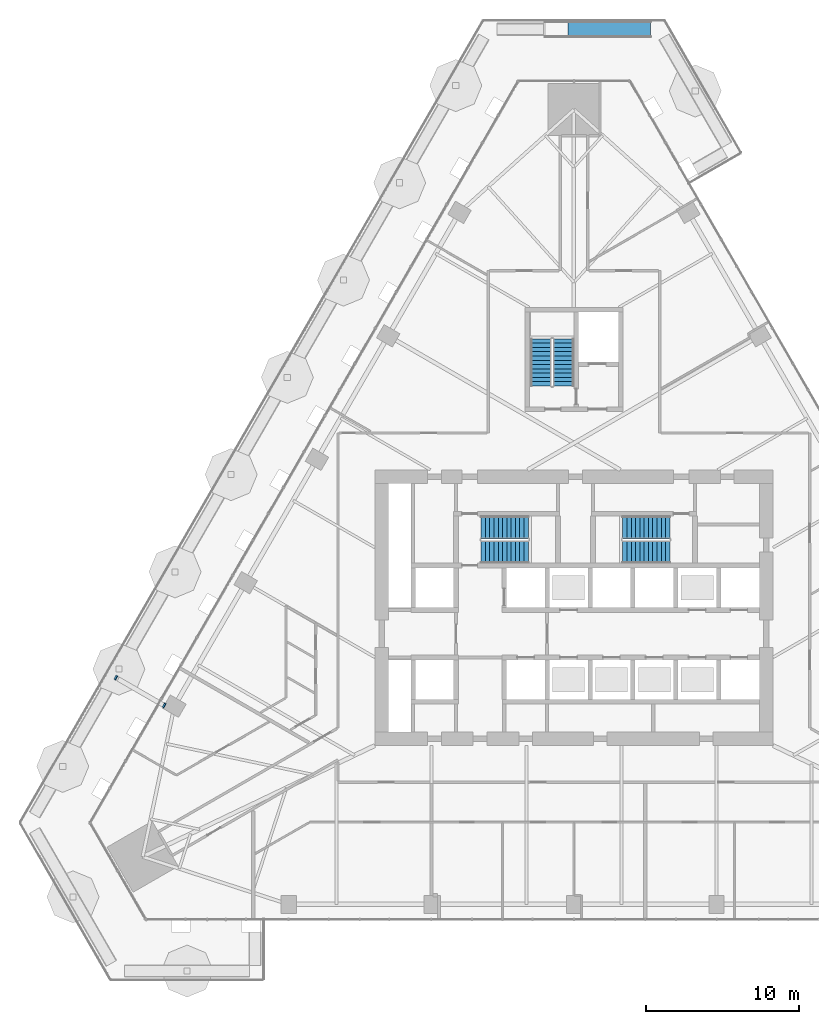
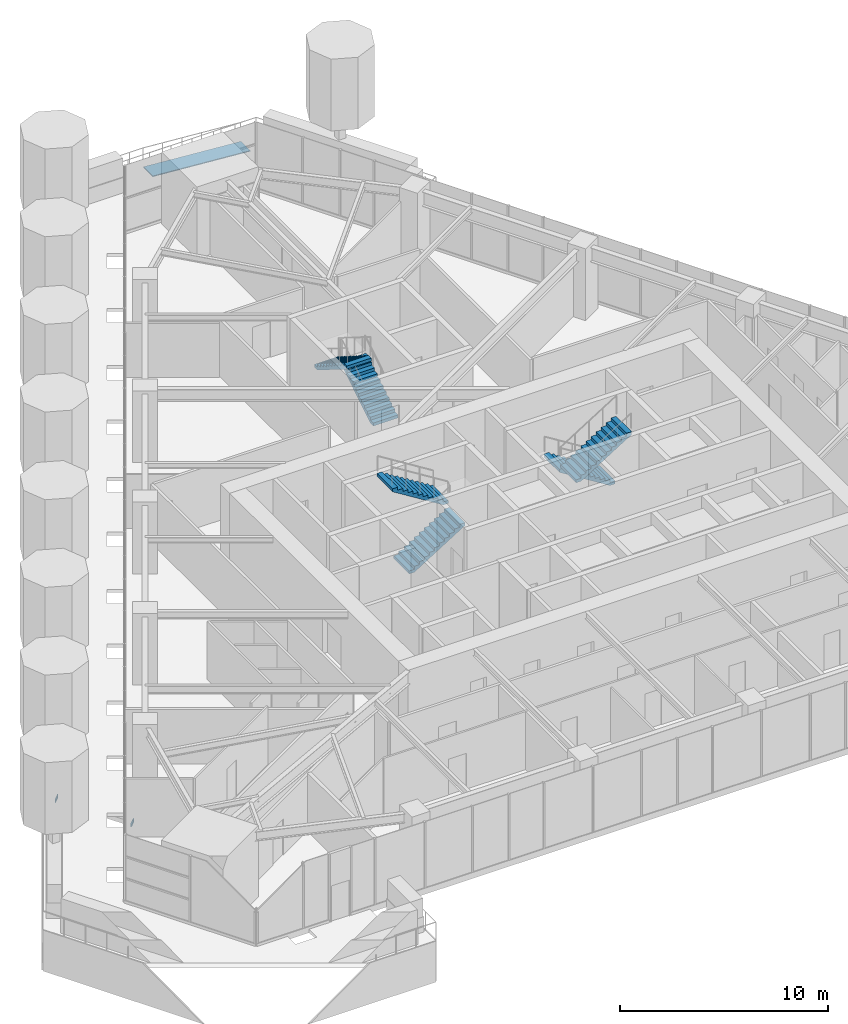
# One storey, part 21 of 25: 6 stair flights, 2 discrete accessories, 1 ramp flight, 4 elements without a shape of their own.
"""IFC4 building model written with IfcOpenShell, lengths in metres."""

from ifc_helpers import new_model, si_unit, direction, frame, origin, place, context, subcontext, project, spatial, polyline, outline, extrude, material, layer, layer_set, type_object, element, aggregate, save


model = new_model("IFC4")

# Units and contexts
model_context = context("Model", 3, precision=1e-05, world=origin(), true_north=direction((0.0, 1.0)))
body_context = subcontext(model_context, "Body", "Model", "MODEL_VIEW")
ifc_project = project(units=[si_unit("LENGTHUNIT", "METRE"), si_unit("AREAUNIT", "SQUARE_METRE"), si_unit("VOLUMEUNIT", "CUBIC_METRE"), si_unit("PLANEANGLEUNIT", "RADIAN"), si_unit("MASSUNIT", "GRAM", prefix="KILO")], contexts=[model_context])

# Site, building, storey
site_placement = place(None, origin())
site = spatial("IfcSite", under=ifc_project, at=site_placement, CompositionType="ELEMENT")
building_placement = place(site_placement, origin())
building = spatial("IfcBuilding", under=site, at=building_placement, Name="Firuza Gate Tower and Library", CompositionType="ELEMENT")
storey_placement = place(building_placement, frame((0.0, 0.0, 119.800048828125)))
storey = spatial("IfcBuildingStorey", under=building, at=storey_placement, Name="L27", CompositionType="ELEMENT", Elevation=119.800048828125)

# Stair, stair flights
ifc_material_1 = material(Name="Concrete C35/45", Category="concrete")
stair_type_1 = type_object("IfcStairType", Name="Exit stair ST14", PredefinedType="HALF_TURN_STAIR", material=ifc_material_1)
placement = place(storey_placement, origin())
stair_1 = element("IfcStair", 1, at=placement, inside=storey, type_object=stair_type_1, Name="L27 Stair ST3", PredefinedType="HALF_TURN_STAIR")
ifc_material_2 = material(Name="Concrete C35/45", Category="concrete")
stair_flight_type_1 = type_object("IfcStairFlightType", Name="Stair flight 12 risers 175 width 1370", PredefinedType="STRAIGHT", material=ifc_material_2)
stair_flight_1_placement = place(storey_placement, frame((74.31494140625, 89.469970703125, 0.0), z_axis=(0.0, 0.0, 1.0), x_axis=(0.0, 1.0, 0.0)))
stair_flight_1 = element("IfcStairFlight", 2, at=stair_flight_1_placement, type_object=stair_flight_type_1, Name="ST3 flight 1", NumberOfRisers=12, NumberOfTreads=11, PredefinedType="STRAIGHT", RiserHeight=0.175, TreadLength=0.28, context=body_context, shape_type="SweptSolid", body=[
    extrude(outline(polyline([(0.0, 0.0), (0.0, 0.175048828125), (0.280029296875, 0.175048828125), (0.280029296875, 0.35009765625), (0.56005859375, 0.35009765625), (0.56005859375, 0.52490234375), (0.840087890625, 0.52490234375), (0.840087890625, 0.699951171875), (1.1201171875, 0.699951171875), (1.1201171875, 0.875), (1.39990234375, 0.875), (1.39990234375, 1.050048828125), (1.679931640625, 1.050048828125), (1.679931640625, 1.22509765625), (1.9599609375, 1.22509765625), (1.9599609375, 1.39990234375), (2.239990234375, 1.39990234375), (2.239990234375, 1.574951171875), (2.52001953125, 1.574951171875), (2.52001953125, 1.75), (2.800048828125, 1.75), (2.800048828125, 1.925048828125), (3.080078125, 1.925048828125), (3.080078125, 2.10009765625), (3.080078125, 1.748291015625), (0.28271484375, 0.0), (0.0, 0.0)])), frame((0.0, 0.68505859375, 0.0), z_axis=(0.0, -1.0, 0.0), x_axis=(1.0, 0.0, 0.0)), (0.0, 0.0, 1.0), 1.3701171875),
])
stair_flight_2_placement = place(storey_placement, frame((72.844970703125, 92.550048828125, 2.099853515625), z_axis=(0.0, 0.0, 1.0), x_axis=(0.0, -1.0, 0.0)))
stair_flight_2 = element("IfcStairFlight", 3, at=stair_flight_2_placement, type_object=stair_flight_type_1, Name="ST3 flight 2", NumberOfRisers=12, NumberOfTreads=11, PredefinedType="STRAIGHT", RiserHeight=0.175, TreadLength=0.28, context=body_context, shape_type="SweptSolid", body=[
    extrude(outline(polyline([(0.0, 0.0), (0.0, 0.175048828125), (0.280029296875, 0.175048828125), (0.280029296875, 0.35009765625), (0.56005859375, 0.35009765625), (0.56005859375, 0.52490234375), (0.840087890625, 0.52490234375), (0.840087890625, 0.699951171875), (1.1201171875, 0.699951171875), (1.1201171875, 0.875), (1.39990234375, 0.875), (1.39990234375, 1.050048828125), (1.679931640625, 1.050048828125), (1.679931640625, 1.22509765625), (1.9599609375, 1.22509765625), (1.9599609375, 1.39990234375), (2.239990234375, 1.39990234375), (2.239990234375, 1.574951171875), (2.52001953125, 1.574951171875), (2.52001953125, 1.75), (2.800048828125, 1.75), (2.800048828125, 1.925048828125), (3.080078125, 1.925048828125), (3.080078125, 2.10009765625), (3.080078125, 1.748291015625), (0.28271484375, 0.0), (0.0, 0.0)])), frame((0.0, 0.68505859375, 0.0), z_axis=(0.0, -1.0, 0.0), x_axis=(1.0, 0.0, 0.0)), (0.0, 0.0, 1.0), 1.3701171875),
])
aggregate(stair_1, [stair_flight_1, stair_flight_2])

ifc_material_3 = material(Name="Concrete C35/45", Category="concrete")
stair_type_2 = type_object("IfcStairType", Name="Exit stair ST5", PredefinedType="HALF_TURN_STAIR", material=ifc_material_3)
stair_2 = element("IfcStair", 4, at=placement, inside=storey, type_object=stair_type_2, Name="L27 Stair ST1", PredefinedType="HALF_TURN_STAIR")
ifc_material_4 = material(Name="Concrete C35/45", Category="concrete")
stair_flight_type_2 = type_object("IfcStairFlightType", Name="Stair flight 12 risers 175 width 1490", PredefinedType="STRAIGHT", material=ifc_material_4)
stair_flight_3_placement = place(storey_placement, frame((68.93994140625, 78.64501953125, 0.0), z_axis=(0.0, 0.0, 1.0), x_axis=(1.0, 0.0, 0.0)))
stair_flight_3 = element("IfcStairFlight", 5, at=stair_flight_3_placement, type_object=stair_flight_type_2, Name="ST1 flight 1", NumberOfRisers=12, NumberOfTreads=11, PredefinedType="STRAIGHT", RiserHeight=0.175, TreadLength=0.28, context=body_context, shape_type="SweptSolid", body=[
    extrude(outline(polyline([(0.0, 0.0), (0.0, 0.175048828125), (0.280029296875, 0.175048828125), (0.280029296875, 0.35009765625), (0.56005859375, 0.35009765625), (0.56005859375, 0.52490234375), (0.840087890625, 0.52490234375), (0.840087890625, 0.699951171875), (1.1201171875, 0.699951171875), (1.1201171875, 0.875), (1.39990234375, 0.875), (1.39990234375, 1.050048828125), (1.679931640625, 1.050048828125), (1.679931640625, 1.22509765625), (1.9599609375, 1.22509765625), (1.9599609375, 1.39990234375), (2.239990234375, 1.39990234375), (2.239990234375, 1.574951171875), (2.52001953125, 1.574951171875), (2.52001953125, 1.75), (2.800048828125, 1.75), (2.800048828125, 1.925048828125), (3.080078125, 1.925048828125), (3.080078125, 2.10009765625), (3.080078125, 1.748291015625), (0.28271484375, 0.0), (0.0, 0.0)])), frame((0.0, 0.7451171875, 0.0), z_axis=(0.0, -1.0, 0.0), x_axis=(1.0, 0.0, 0.0)), (0.0, 0.0, 1.0), 1.489990234375),
])
stair_flight_4_placement = place(storey_placement, frame((72.02001953125, 80.235107421875, 2.099853515625), z_axis=(0.0, 0.0, 1.0), x_axis=(-1.0, 0.0, 0.0)))
stair_flight_4 = element("IfcStairFlight", 6, at=stair_flight_4_placement, type_object=stair_flight_type_2, Name="ST1 flight 2", NumberOfRisers=12, NumberOfTreads=11, PredefinedType="STRAIGHT", RiserHeight=0.175, TreadLength=0.28, context=body_context, shape_type="SweptSolid", body=[
    extrude(outline(polyline([(0.0, 0.0), (0.0, 0.175048828125), (0.280029296875, 0.175048828125), (0.280029296875, 0.35009765625), (0.56005859375, 0.35009765625), (0.56005859375, 0.52490234375), (0.840087890625, 0.52490234375), (0.840087890625, 0.699951171875), (1.1201171875, 0.699951171875), (1.1201171875, 0.875), (1.39990234375, 0.875), (1.39990234375, 1.050048828125), (1.679931640625, 1.050048828125), (1.679931640625, 1.22509765625), (1.9599609375, 1.22509765625), (1.9599609375, 1.39990234375), (2.239990234375, 1.39990234375), (2.239990234375, 1.574951171875), (2.52001953125, 1.574951171875), (2.52001953125, 1.75), (2.800048828125, 1.75), (2.800048828125, 1.925048828125), (3.080078125, 1.925048828125), (3.080078125, 2.10009765625), (3.080078125, 1.748291015625), (0.28271484375, 0.0), (0.0, 0.0)])), frame((0.0, 0.7451171875, 0.0), z_axis=(0.0, -1.0, 0.0), x_axis=(1.0, 0.0, 0.0)), (0.0, 0.0, 1.0), 1.489990234375),
])
aggregate(stair_2, [stair_flight_3, stair_flight_4])

stair_3 = element("IfcStair", 7, at=placement, inside=storey, type_object=stair_type_2, Name="L27 Stair ST2", PredefinedType="HALF_TURN_STAIR")
stair_flight_5_placement = place(storey_placement, frame((81.260009765625, 80.235107421875, 0.0), z_axis=(0.0, 0.0, 1.0), x_axis=(-1.0, 0.0, 0.0)))
stair_flight_5 = element("IfcStairFlight", 8, at=stair_flight_5_placement, type_object=stair_flight_type_2, Name="ST2 flight 1", NumberOfRisers=12, NumberOfTreads=11, PredefinedType="STRAIGHT", RiserHeight=0.175, TreadLength=0.28, context=body_context, shape_type="SweptSolid", body=[
    extrude(outline(polyline([(0.0, 0.0), (0.0, 0.175048828125), (0.280029296875, 0.175048828125), (0.280029296875, 0.35009765625), (0.56005859375, 0.35009765625), (0.56005859375, 0.52490234375), (0.840087890625, 0.52490234375), (0.840087890625, 0.699951171875), (1.1201171875, 0.699951171875), (1.1201171875, 0.875), (1.39990234375, 0.875), (1.39990234375, 1.050048828125), (1.679931640625, 1.050048828125), (1.679931640625, 1.22509765625), (1.9599609375, 1.22509765625), (1.9599609375, 1.39990234375), (2.239990234375, 1.39990234375), (2.239990234375, 1.574951171875), (2.52001953125, 1.574951171875), (2.52001953125, 1.75), (2.800048828125, 1.75), (2.800048828125, 1.925048828125), (3.080078125, 1.925048828125), (3.080078125, 2.10009765625), (3.080078125, 1.748291015625), (0.28271484375, 0.0), (0.0, 0.0)])), frame((0.0, 0.7451171875, 0.0), z_axis=(0.0, -1.0, 0.0), x_axis=(1.0, 0.0, 0.0)), (0.0, 0.0, 1.0), 1.489990234375),
])
stair_flight_6_placement = place(storey_placement, frame((78.179931640625, 78.64501953125, 2.099853515625), z_axis=(0.0, 0.0, 1.0), x_axis=(1.0, 0.0, 0.0)))
stair_flight_6 = element("IfcStairFlight", 9, at=stair_flight_6_placement, type_object=stair_flight_type_2, Name="ST2 flight 2", NumberOfRisers=12, NumberOfTreads=11, PredefinedType="STRAIGHT", RiserHeight=0.175, TreadLength=0.28, context=body_context, shape_type="SweptSolid", body=[
    extrude(outline(polyline([(0.0, 0.0), (0.0, 0.175048828125), (0.280029296875, 0.175048828125), (0.280029296875, 0.35009765625), (0.56005859375, 0.35009765625), (0.56005859375, 0.52490234375), (0.840087890625, 0.52490234375), (0.840087890625, 0.699951171875), (1.1201171875, 0.699951171875), (1.1201171875, 0.875), (1.39990234375, 0.875), (1.39990234375, 1.050048828125), (1.679931640625, 1.050048828125), (1.679931640625, 1.22509765625), (1.9599609375, 1.22509765625), (1.9599609375, 1.39990234375), (2.239990234375, 1.39990234375), (2.239990234375, 1.574951171875), (2.52001953125, 1.574951171875), (2.52001953125, 1.75), (2.800048828125, 1.75), (2.800048828125, 1.925048828125), (3.080078125, 1.925048828125), (3.080078125, 2.10009765625), (3.080078125, 1.748291015625), (0.28271484375, 0.0), (0.0, 0.0)])), frame((0.0, 0.7451171875, 0.0), z_axis=(0.0, -1.0, 0.0), x_axis=(1.0, 0.0, 0.0)), (0.0, 0.0, 1.0), 1.489990234375),
])
aggregate(stair_3, [stair_flight_5, stair_flight_6])

# Ramp, ramp flight
ifc_material_5 = material(Name="Concrete C40/50", Category="concrete")
ifc_layer_1 = layer(ifc_material_5, 0.050048828125)
ifc_layer_set_1 = layer_set([ifc_layer_1], Name="Garden ramp")
ramp_type = type_object("IfcRampType", Name="Garden ramp", PredefinedType="STRAIGHT_RUN_RAMP", material=ifc_layer_set_1)
ramp = element("IfcRamp", 10, at=placement, inside=storey, type_object=ramp_type, Name="Garden ramp 3", PredefinedType="STRAIGHT_RUN_RAMP")
ifc_material_6 = material(Name="Concrete C40/50", Category="concrete")
ifc_layer_2 = layer(ifc_material_6, 0.050048828125)
ifc_layer_set_2 = layer_set([ifc_layer_2], Name="Garden ramp flight")
ramp_flight_type = type_object("IfcRampFlightType", Name="Garden ramp flight", PredefinedType="STRAIGHT", material=ifc_layer_set_2)
ramp_flight_placement = place(storey_placement, frame((80.009521484375, 112.76220703125, 0.0), z_axis=(0.0, 0.0, 1.0), x_axis=(-1.0, 0.0, 0.0)))
ramp_flight = element("IfcRampFlight", 11, at=ramp_flight_placement, type_object=ramp_flight_type, Name="Garden ramp 3 flight", PredefinedType="STRAIGHT", context=body_context, shape_type="SweptSolid", body=[
    extrude(outline(polyline([(0.0, 0.050048828125), (5.400146484375, 0.449951171875), (5.400146484375, 0.39990234375), (0.0, 0.0), (0.0, 0.050048828125)])), frame((0.0, 0.4501953125, 0.0), z_axis=(0.0, -1.0, 0.0), x_axis=(1.0, 0.0, 0.0)), (0.0, 0.0, 1.0), 0.900146484375),
])
aggregate(ramp, [ramp_flight])

# Discrete accessories
ifc_material_7 = material(Name="Steel S355", Category="steel")
ifc_layer_3 = layer(ifc_material_7, 0.02001953125)
ifc_layer_set_3 = layer_set([ifc_layer_3], Name="Strut seat plate 304x304x20 Steel S355")
discrete_accessory_type = type_object("IfcDiscreteAccessoryType", Name="Strut seat plate 304x304x20 Steel S355", PredefinedType="BRACKET", material=ifc_layer_set_3)
discrete_accessory_1_placement = place(storey_placement, frame((48.20458984375, 68.459228515625, -1.53564453125), z_axis=(-0.807085092454, 0.466057949956, 0.362496401115), x_axis=(0.500109703928, 0.865962048957, 0.000117489043)))
element("IfcDiscreteAccessory", 12, at=discrete_accessory_1_placement, inside=storey, type_object=discrete_accessory_type, Name="Strut seat plate L27 col:L26:W5", PredefinedType="BRACKET", context=body_context, shape_type="SweptSolid", body=[
    extrude(outline(polyline([(0.0, 0.0), (0.3039734947076466, 0.0), (0.3039803896146585, 0.303909171941663), (0.00012899200269736894, 0.3038325475838635), (0.0, 0.0)])), origin(), (0.0, 0.0, -1.0), 0.02001953125),
])
discrete_accessory_2_placement = place(storey_placement, frame((45.206787109375, 70.541259765625, -0.12109375), z_axis=(-0.807065000242, 0.466204446129, 0.362352728421), x_axis=(-0.500174513809, -0.865924622089, 6.7792295e-05)))
element("IfcDiscreteAccessory", 13, at=discrete_accessory_2_placement, inside=storey, type_object=discrete_accessory_type, Name="Strut seat plate L27 col:L26:W5", PredefinedType="BRACKET", context=body_context, shape_type="SweptSolid", body=[
    extrude(outline(polyline([(0.0, 0.0), (0.3041849095061368, 6.938893903907228e-18), (0.3041337775364572, -0.304136698001982), (0.00016027540876014529, -0.30409246341043505), (0.0, 0.0)])), origin(), (0.0, 0.0, -1.0), 0.02001953125),
])

save(model, "model.ifc")
